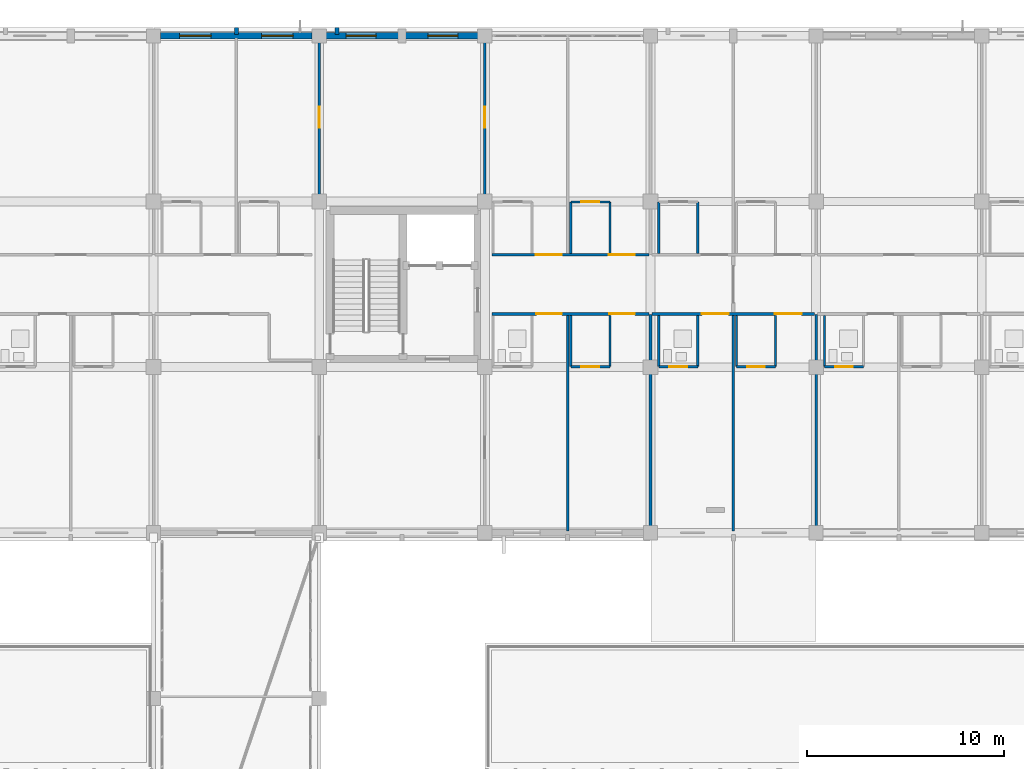
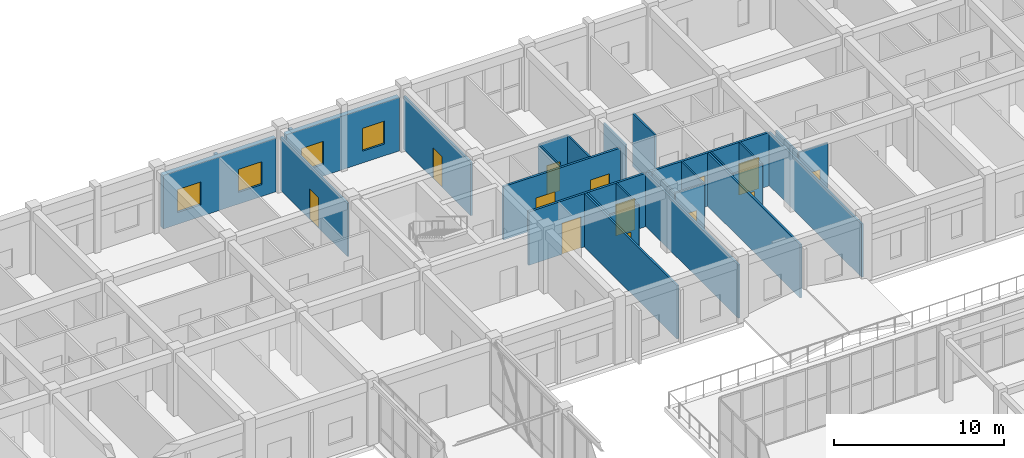
# One storey, part 132 of 158: 29 walls, 13 doors, 4 windows, 17 openings.
"""IFC4 building model written with IfcOpenShell, lengths in metres."""

from ifc_helpers import new_model, si_unit, direction, frame, frame_2d, origin, place, context, subcontext, project, spatial, rectangle, extrude, material, layer, layer_set, type_object, element, fill, save


model = new_model("IFC4")

# Units and contexts
model_context = context("Model", 3, precision=1e-05, world=origin(), true_north=direction((0.0, 1.0)))
body_context = subcontext(model_context, "Body", "Model", "MODEL_VIEW")
ifc_project = project(units=[si_unit("LENGTHUNIT", "METRE"), si_unit("AREAUNIT", "SQUARE_METRE"), si_unit("VOLUMEUNIT", "CUBIC_METRE"), si_unit("PLANEANGLEUNIT", "RADIAN"), si_unit("MASSUNIT", "GRAM", prefix="KILO")], contexts=[model_context])

# Site, building, storey
site_placement = place(None, origin())
site = spatial("IfcSite", under=ifc_project, at=site_placement, CompositionType="ELEMENT")
building_placement = place(site_placement, origin())
building = spatial("IfcBuilding", under=site, at=building_placement, Name="Trelvath General Hospital", CompositionType="ELEMENT")
storey_placement = place(building_placement, frame((0.0, 0.0, 8.10009765625)))
storey = spatial("IfcBuildingStorey", under=building, at=storey_placement, Name="L02", CompositionType="ELEMENT", Elevation=8.10009765625)

# Walls
ifc_material_1 = material(Name="Precast concrete C40/50", Category="concrete")
ifc_layer_1 = layer(ifc_material_1, 0.199951171875)
ifc_layer_set_1 = layer_set([ifc_layer_1], Name="Precast concrete C40/50")
wall_type_1 = type_object("IfcWallType", Name="BriseSoleilRib 200", PredefinedType="ELEMENTEDWALL", material=ifc_layer_set_1)
for number, where, z_axis, x_axis, name in (
    (1, (79.800048828125, 117.675048828125, 0.0), (0.0, 0.0, 1.0), (0.0, 1.0, 0.0), "Precast Concrete Brise-Soleil Rib Fin L02-200"),
    (2, (84.893310546875, 117.675048828125, 0.0), (0.0, 0.0, 1.0), (0.0, 1.0, 0.0), "Precast Concrete Brise-Soleil Rib Fin L02-204"),
):
    element("IfcWall", number, at=place(storey_placement, frame(where, z_axis=z_axis, x_axis=x_axis)), inside=storey, type_object=wall_type_1, Name=name, PredefinedType="ELEMENTEDWALL", context=body_context, shape_type="SweptSolid", body=[
        extrude(rectangle(XDim=0.33984375, YDim=0.199951171875, at=frame_2d((0.169921875, 0.0))), origin(), (0.0, 0.0, 1.0), 3.83984375),
    ])

# Wall, openings, doors
ifc_material_2 = material(Name="Gypsum acoustic steel-stud partition", Category="steel")
ifc_layer_2 = layer(ifc_material_2, 0.14990234375)
ifc_layer_set_2 = layer_set([ifc_layer_2], Name="Gypsum acoustic steel-stud partition")
wall_type_2 = type_object("IfcWallType", Name="ClinicalPartition 150", PredefinedType="PARTITIONING", material=ifc_layer_set_2)
wall_1_placement = place(storey_placement, frame((92.760009765625, 103.5, 0.0), z_axis=(0.0, 0.0, 1.0), x_axis=(1.0, 0.0, 0.0)))
wall_1 = element("IfcWall", 3, at=wall_1_placement, inside=storey, type_object=wall_type_2, Name="Corridor Partition L02-949", PredefinedType="PARTITIONING", context=body_context, shape_type="SweptSolid", body=[
    extrude(rectangle(XDim=7.9599609375, YDim=0.14990234375, at=frame_2d((3.97998046875, 0.0))), origin(), (0.0, 0.0, 1.0), 3.83984375),
])
opening_1_placement = place(wall_1_placement, frame((2.25, 0.0, 0.0)))
opening_1 = element("IfcOpeningElement", 4, at=opening_1_placement, cuts=wall_1, Name="Opening D-2-0761", PredefinedType="OPENING", context=body_context, shape_type="SweptSolid", body=[
    extrude(rectangle(XDim=1.300048828125, YDim=2.25, at=frame_2d((0.64990234375, 1.125))), frame((0.0, 0.0849609375, 0.0), z_axis=(0.0, -1.0, 0.0), x_axis=(1.0, 0.0, 0.0)), (0.0, 0.0, 1.0), 0.169921875),
])
opening_2_placement = place(wall_1_placement, frame((5.949951171875, 0.0, 0.0)))
opening_2 = element("IfcOpeningElement", 5, at=opening_2_placement, cuts=wall_1, Name="Opening D-2-0762", PredefinedType="OPENING", context=body_context, shape_type="SweptSolid", body=[
    extrude(rectangle(XDim=1.300048828125, YDim=2.25, at=frame_2d((0.64990234375, 1.125))), frame((0.0, 0.0849609375, 0.0), z_axis=(0.0, -1.0, 0.0), x_axis=(1.0, 0.0, 0.0)), (0.0, 0.0, 1.0), 0.169921875),
])
ifc_material_3 = material(Name="Hospital bed-leaf timber door", Category="wood")
door_type_1 = type_object("IfcDoorType", Name="Door PatientBed 1300x2250", OperationType="NOTDEFINED", PredefinedType="DOOR", material=ifc_material_3)
door_1_placement = place(opening_1_placement, origin())
door_1 = element("IfcDoor", 6, at=door_1_placement, inside=storey, type_object=door_type_1, Name="Patient Room Door L02-761", OperationType="SINGLE_SWING_RIGHT", OverallHeight=2.25, OverallWidth=1.300048828125, PredefinedType="DOOR", context=body_context, shape_type="SweptSolid", body=[
    extrude(rectangle(XDim=1.300048828125, YDim=2.25, at=frame_2d((0.64990234375, 1.125))), frame((0.0, 0.02490234375, 0.0), z_axis=(0.0, -1.0, 0.0), x_axis=(1.0, 0.0, 0.0)), (0.0, 0.0, 1.0), 0.050048828125),
])
fill(opening_1, door_1)
door_2_placement = place(opening_2_placement, origin())
door_2 = element("IfcDoor", 7, at=door_2_placement, inside=storey, type_object=door_type_1, Name="Patient Room Door L02-762", OperationType="SINGLE_SWING_LEFT", OverallHeight=2.25, OverallWidth=1.300048828125, PredefinedType="DOOR", context=body_context, shape_type="SweptSolid", body=[
    extrude(rectangle(XDim=1.300048828125, YDim=2.25, at=frame_2d((0.64990234375, 1.125))), frame((0.0, 0.02490234375, 0.0), z_axis=(0.0, -1.0, 0.0), x_axis=(1.0, 0.0, 0.0)), (0.0, 0.0, 1.0), 0.050048828125),
])
fill(opening_2, door_2)

wall_2_placement = place(storey_placement, frame((100.719970703125, 106.5, 0.0), z_axis=(0.0, 0.0, 1.0), x_axis=(-1.0, 0.0, 0.0)))
wall_2 = element("IfcWall", 8, at=wall_2_placement, inside=storey, type_object=wall_type_2, Name="Corridor Partition N L02-957", PredefinedType="PARTITIONING", context=body_context, shape_type="SweptSolid", body=[
    extrude(rectangle(XDim=7.9599609375, YDim=0.14990234375, at=frame_2d((3.97998046875, 0.0))), origin(), (0.0, 0.0, 1.0), 3.83984375),
])
opening_3_placement = place(wall_2_placement, frame((0.72998046875, 0.0, 0.0)))
opening_3 = element("IfcOpeningElement", 9, at=opening_3_placement, cuts=wall_2, Name="Opening D-2-0765", PredefinedType="OPENING", context=body_context, shape_type="SweptSolid", body=[
    extrude(rectangle(XDim=1.300048828125, YDim=2.25, at=frame_2d((0.64990234375, 1.125))), frame((0.0, 0.0849609375, 0.0), z_axis=(0.0, -1.0, 0.0), x_axis=(1.0, 0.0, 0.0)), (0.0, 0.0, 1.0), 0.169921875),
])
opening_4_placement = place(wall_2_placement, frame((4.429931640625, 0.0, 0.0)))
opening_4 = element("IfcOpeningElement", 10, at=opening_4_placement, cuts=wall_2, Name="Opening D-2-0766", PredefinedType="OPENING", context=body_context, shape_type="SweptSolid", body=[
    extrude(rectangle(XDim=1.300048828125, YDim=2.25, at=frame_2d((0.64990234375, 1.125))), frame((0.0, 0.0849609375, 0.0), z_axis=(0.0, -1.0, 0.0), x_axis=(1.0, 0.0, 0.0)), (0.0, 0.0, 1.0), 0.169921875),
])
door_3_placement = place(opening_3_placement, origin())
door_3 = element("IfcDoor", 11, at=door_3_placement, inside=storey, type_object=door_type_1, Name="Patient Room Door N L02-765", OperationType="SINGLE_SWING_RIGHT", OverallHeight=2.25, OverallWidth=1.300048828125, PredefinedType="DOOR", context=body_context, shape_type="SweptSolid", body=[
    extrude(rectangle(XDim=1.300048828125, YDim=2.25, at=frame_2d((0.64990234375, 1.125))), frame((0.0, 0.02490234375, 0.0), z_axis=(0.0, -1.0, 0.0), x_axis=(1.0, 0.0, 0.0)), (0.0, 0.0, 1.0), 0.050048828125),
])
fill(opening_3, door_3)
door_4_placement = place(opening_4_placement, origin())
door_4 = element("IfcDoor", 12, at=door_4_placement, inside=storey, type_object=door_type_1, Name="Patient Room Door N L02-766", OperationType="SINGLE_SWING_RIGHT", OverallHeight=2.25, OverallWidth=1.300048828125, PredefinedType="DOOR", context=body_context, shape_type="SweptSolid", body=[
    extrude(rectangle(XDim=1.300048828125, YDim=2.25, at=frame_2d((0.64990234375, 1.125))), frame((0.0, 0.02490234375, 0.0), z_axis=(0.0, -1.0, 0.0), x_axis=(1.0, 0.0, 0.0)), (0.0, 0.0, 1.0), 0.050048828125),
])
fill(opening_4, door_4)

wall_3_placement = place(storey_placement, frame((100.8798828125, 103.5, 0.0), z_axis=(0.0, 0.0, 1.0), x_axis=(1.0, 0.0, 0.0)))
wall_3 = element("IfcWall", 13, at=wall_3_placement, inside=storey, type_object=wall_type_2, Name="Corridor Partition L02-967", PredefinedType="PARTITIONING", context=body_context, shape_type="SweptSolid", body=[
    extrude(rectangle(XDim=8.240234375, YDim=0.14990234375, at=frame_2d((4.1201171875, 0.0))), origin(), (0.0, 0.0, 1.0), 3.83984375),
])
opening_5_placement = place(wall_3_placement, frame((2.530029296875, 0.0, 0.0)))
opening_5 = element("IfcOpeningElement", 14, at=opening_5_placement, cuts=wall_3, Name="Opening D-2-0769", PredefinedType="OPENING", context=body_context, shape_type="SweptSolid", body=[
    extrude(rectangle(XDim=1.35009765625, YDim=2.25, at=frame_2d((0.675048828125, 1.125))), frame((0.0, 0.0849609375, 0.0), z_axis=(0.0, -1.0, 0.0), x_axis=(1.0, 0.0, 0.0)), (0.0, 0.0, 1.0), 0.169921875),
])
opening_6_placement = place(wall_3_placement, frame((6.22998046875, 0.0, 0.0)))
opening_6 = element("IfcOpeningElement", 15, at=opening_6_placement, cuts=wall_3, Name="Opening D-2-0770", PredefinedType="OPENING", context=body_context, shape_type="SweptSolid", body=[
    extrude(rectangle(XDim=1.35009765625, YDim=2.25, at=frame_2d((0.675048828125, 1.125))), frame((0.0, 0.0849609375, 0.0), z_axis=(0.0, -1.0, 0.0), x_axis=(1.0, 0.0, 0.0)), (0.0, 0.0, 1.0), 0.169921875),
])
ifc_material_4 = material(Name="Airtight isolation bed door")
door_type_2 = type_object("IfcDoorType", Name="Door PatientIso 1350x2250", OperationType="NOTDEFINED", PredefinedType="DOOR", material=ifc_material_4)
door_5_placement = place(opening_5_placement, origin())
door_5 = element("IfcDoor", 16, at=door_5_placement, inside=storey, type_object=door_type_2, Name="Patient Room Door L02-769", OperationType="SINGLE_SWING_LEFT", OverallHeight=2.25, OverallWidth=1.35009765625, PredefinedType="DOOR", context=body_context, shape_type="SweptSolid", body=[
    extrude(rectangle(XDim=1.35009765625, YDim=2.25, at=frame_2d((0.675048828125, 1.125))), frame((0.0, 0.02490234375, 0.0), z_axis=(0.0, -1.0, 0.0), x_axis=(1.0, 0.0, 0.0)), (0.0, 0.0, 1.0), 0.050048828125),
])
fill(opening_5, door_5)
door_6_placement = place(opening_6_placement, origin())
door_6 = element("IfcDoor", 17, at=door_6_placement, inside=storey, type_object=door_type_2, Name="Patient Room Door L02-770", OperationType="SINGLE_SWING_RIGHT", OverallHeight=2.25, OverallWidth=1.35009765625, PredefinedType="DOOR", context=body_context, shape_type="SweptSolid", body=[
    extrude(rectangle(XDim=1.35009765625, YDim=2.25, at=frame_2d((0.675048828125, 1.125))), frame((0.0, 0.02490234375, 0.0), z_axis=(0.0, -1.0, 0.0), x_axis=(1.0, 0.0, 0.0)), (0.0, 0.0, 1.0), 0.050048828125),
])
fill(opening_6, door_6)

# Walls
ifc_material_5 = material(Name="Moisture-resistant tile partition")
ifc_layer_3 = layer(ifc_material_5, 0.110107421875)
ifc_layer_set_3 = layer_set([ifc_layer_3], Name="Moisture-resistant tile partition")
wall_type_3 = type_object("IfcWallType", Name="EnSuiteWetWall 110", PredefinedType="PARTITIONING", material=ifc_layer_set_3)
for number, where, z_axis, x_axis, name in (
    (18, (96.760009765625, 100.820068359375, 0.0), (0.0, 0.0, 1.0), (0.0, 1.0, 0.0), "En-Suite W Wall L02-954"),
    (19, (98.739990234375, 100.820068359375, 0.0), (0.0, 0.0, 1.0), (0.0, 1.0, 0.0), "En-Suite E Wall L02-955"),
):
    element("IfcWall", number, at=place(storey_placement, frame(where, z_axis=z_axis, x_axis=x_axis)), inside=storey, type_object=wall_type_3, Name=name, PredefinedType="PARTITIONING", context=body_context, shape_type="SweptSolid", body=[
        extrude(rectangle(XDim=2.60986328125, YDim=0.110107421875, at=frame_2d((1.304931640625, 0.0))), origin(), (0.0, 0.0, 1.0), 3.83984375),
    ])

# Wall, opening, door
wall_4_placement = place(storey_placement, frame((96.760009765625, 100.820068359375, 0.0), z_axis=(0.0, 0.0, 1.0), x_axis=(1.0, 0.0, 0.0)))
wall_4 = element("IfcWall", 20, at=wall_4_placement, inside=storey, type_object=wall_type_3, Name="En-Suite Bathroom Partition L02-956", PredefinedType="PARTITIONING", context=body_context, shape_type="SweptSolid", body=[
    extrude(rectangle(XDim=1.97998046875, YDim=0.110107421875, at=frame_2d((0.989990234375, 0.0))), origin(), (0.0, 0.0, 1.0), 3.83984375),
])
opening_7_placement = place(wall_4_placement, frame((0.5400390625, 0.0, 0.0)))
opening_7 = element("IfcOpeningElement", 21, at=opening_7_placement, cuts=wall_4, Name="Opening D-2-0764", PredefinedType="OPENING", context=body_context, shape_type="SweptSolid", body=[
    extrude(rectangle(XDim=0.89990234375, YDim=2.10009765625, at=frame_2d((0.449951171875, 1.050048828125))), frame((0.0, 0.06494140625, 0.0), z_axis=(0.0, -1.0, 0.0), x_axis=(1.0, 0.0, 0.0)), (0.0, 0.0, 1.0), 0.130126953125),
])
ifc_material_6 = material(Name="Moisture-sealed timber leaf", Category="wood")
door_type_3 = type_object("IfcDoorType", Name="Door EnSuite 900x2100", OperationType="NOTDEFINED", PredefinedType="DOOR", material=ifc_material_6)
door_7_placement = place(opening_7_placement, origin())
door_7 = element("IfcDoor", 22, at=door_7_placement, inside=storey, type_object=door_type_3, Name="En-Suite Bathroom Door L02-764", OperationType="SINGLE_SWING_LEFT", OverallHeight=2.10009765625, OverallWidth=0.89990234375, PredefinedType="DOOR", context=body_context, shape_type="SweptSolid", body=[
    extrude(rectangle(XDim=0.89990234375, YDim=2.10009765625, at=frame_2d((0.449951171875, 1.050048828125))), frame((0.0, 0.02490234375, 0.0), z_axis=(0.0, -1.0, 0.0), x_axis=(1.0, 0.0, 0.0)), (0.0, 0.0, 1.0), 0.050048828125),
])
fill(opening_7, door_7)

# Walls
for number, where, z_axis, x_axis, name in (
    (23, (96.760009765625, 106.570068359375, 0.0), (0.0, 0.0, 1.0), (0.0, 1.0, 0.0), "En-Suite W Wall N L02-962"),
    (24, (98.739990234375, 106.570068359375, 0.0), (0.0, 0.0, 1.0), (0.0, 1.0, 0.0), "En-Suite E Wall N L02-963"),
):
    element("IfcWall", number, at=place(storey_placement, frame(where, z_axis=z_axis, x_axis=x_axis)), inside=storey, type_object=wall_type_3, Name=name, PredefinedType="PARTITIONING", context=body_context, shape_type="SweptSolid", body=[
        extrude(rectangle(XDim=2.60986328125, YDim=0.110107421875, at=frame_2d((1.304931640625, 0.0))), origin(), (0.0, 0.0, 1.0), 3.83984375),
    ])

# Wall, opening, door
wall_5_placement = place(storey_placement, frame((96.760009765625, 109.179931640625, 0.0), z_axis=(0.0, 0.0, 1.0), x_axis=(1.0, 0.0, 0.0)))
wall_5 = element("IfcWall", 25, at=wall_5_placement, inside=storey, type_object=wall_type_3, Name="En-Suite Bathroom N Partition L02-964", PredefinedType="PARTITIONING", context=body_context, shape_type="SweptSolid", body=[
    extrude(rectangle(XDim=1.97998046875, YDim=0.110107421875, at=frame_2d((0.989990234375, 0.0))), origin(), (0.0, 0.0, 1.0), 3.83984375),
])
opening_8_placement = place(wall_5_placement, frame((0.5400390625, 0.0, 0.0)))
opening_8 = element("IfcOpeningElement", 26, at=opening_8_placement, cuts=wall_5, Name="Opening D-2-0768", PredefinedType="OPENING", context=body_context, shape_type="SweptSolid", body=[
    extrude(rectangle(XDim=0.89990234375, YDim=2.10009765625, at=frame_2d((0.449951171875, 1.050048828125))), frame((0.0, 0.06494140625, 0.0), z_axis=(0.0, -1.0, 0.0), x_axis=(1.0, 0.0, 0.0)), (0.0, 0.0, 1.0), 0.130126953125),
])
door_8_placement = place(opening_8_placement, origin())
door_8 = element("IfcDoor", 27, at=door_8_placement, inside=storey, type_object=door_type_3, Name="En-Suite Bathroom N Door L02-768", OperationType="SINGLE_SWING_RIGHT", OverallHeight=2.10009765625, OverallWidth=0.89990234375, PredefinedType="DOOR", context=body_context, shape_type="SweptSolid", body=[
    extrude(rectangle(XDim=0.89990234375, YDim=2.10009765625, at=frame_2d((0.449951171875, 1.050048828125))), frame((0.0, 0.02490234375, 0.0), z_axis=(0.0, -1.0, 0.0), x_axis=(1.0, 0.0, 0.0)), (0.0, 0.0, 1.0), 0.050048828125),
])
fill(opening_8, door_8)

# Walls
for number, where, z_axis, x_axis, name in (
    (28, (101.219970703125, 100.820068359375, 0.0), (0.0, 0.0, 1.0), (0.0, 1.0, 0.0), "En-Suite W Wall L02-969"),
    (29, (103.199951171875, 100.820068359375, 0.0), (0.0, 0.0, 1.0), (0.0, 1.0, 0.0), "En-Suite E Wall L02-970"),
):
    element("IfcWall", number, at=place(storey_placement, frame(where, z_axis=z_axis, x_axis=x_axis)), inside=storey, type_object=wall_type_3, Name=name, PredefinedType="PARTITIONING", context=body_context, shape_type="SweptSolid", body=[
        extrude(rectangle(XDim=2.60986328125, YDim=0.110107421875, at=frame_2d((1.304931640625, 0.0))), origin(), (0.0, 0.0, 1.0), 3.83984375),
    ])

# Wall, opening, door
wall_6_placement = place(storey_placement, frame((101.219970703125, 100.820068359375, 0.0), z_axis=(0.0, 0.0, 1.0), x_axis=(1.0, 0.0, 0.0)))
wall_6 = element("IfcWall", 30, at=wall_6_placement, inside=storey, type_object=wall_type_3, Name="En-Suite Bathroom Partition L02-971", PredefinedType="PARTITIONING", context=body_context, shape_type="SweptSolid", body=[
    extrude(rectangle(XDim=1.97998046875, YDim=0.110107421875, at=frame_2d((0.989990234375, 0.0))), origin(), (0.0, 0.0, 1.0), 3.83984375),
])
opening_9_placement = place(wall_6_placement, frame((0.5400390625, 0.0, 0.0)))
opening_9 = element("IfcOpeningElement", 31, at=opening_9_placement, cuts=wall_6, Name="Opening D-2-0771", PredefinedType="OPENING", context=body_context, shape_type="SweptSolid", body=[
    extrude(rectangle(XDim=0.89990234375, YDim=2.10009765625, at=frame_2d((0.449951171875, 1.050048828125))), frame((0.0, 0.06494140625, 0.0), z_axis=(0.0, -1.0, 0.0), x_axis=(1.0, 0.0, 0.0)), (0.0, 0.0, 1.0), 0.130126953125),
])
door_9_placement = place(opening_9_placement, origin())
door_9 = element("IfcDoor", 32, at=door_9_placement, inside=storey, type_object=door_type_3, Name="En-Suite Bathroom Door L02-771", OperationType="SINGLE_SWING_LEFT", OverallHeight=2.10009765625, OverallWidth=0.89990234375, PredefinedType="DOOR", context=body_context, shape_type="SweptSolid", body=[
    extrude(rectangle(XDim=0.89990234375, YDim=2.10009765625, at=frame_2d((0.449951171875, 1.050048828125))), frame((0.0, 0.02490234375, 0.0), z_axis=(0.0, -1.0, 0.0), x_axis=(1.0, 0.0, 0.0)), (0.0, 0.0, 1.0), 0.050048828125),
])
fill(opening_9, door_9)

# Walls
for number, where, z_axis, x_axis, name in (
    (33, (105.159912109375, 100.820068359375, 0.0), (0.0, 0.0, 1.0), (0.0, 1.0, 0.0), "En-Suite W Wall L02-972"),
    (34, (107.139892578125, 100.820068359375, 0.0), (0.0, 0.0, 1.0), (0.0, 1.0, 0.0), "En-Suite E Wall L02-973"),
):
    element("IfcWall", number, at=place(storey_placement, frame(where, z_axis=z_axis, x_axis=x_axis)), inside=storey, type_object=wall_type_3, Name=name, PredefinedType="PARTITIONING", context=body_context, shape_type="SweptSolid", body=[
        extrude(rectangle(XDim=2.60986328125, YDim=0.110107421875, at=frame_2d((1.304931640625, 0.0))), origin(), (0.0, 0.0, 1.0), 3.83984375),
    ])

# Wall, opening, door
wall_7_placement = place(storey_placement, frame((105.159912109375, 100.820068359375, 0.0), z_axis=(0.0, 0.0, 1.0), x_axis=(1.0, 0.0, 0.0)))
wall_7 = element("IfcWall", 35, at=wall_7_placement, inside=storey, type_object=wall_type_3, Name="En-Suite Bathroom Partition L02-974", PredefinedType="PARTITIONING", context=body_context, shape_type="SweptSolid", body=[
    extrude(rectangle(XDim=1.97998046875, YDim=0.110107421875, at=frame_2d((0.989990234375, 0.0))), origin(), (0.0, 0.0, 1.0), 3.83984375),
])
opening_10_placement = place(wall_7_placement, frame((0.5400390625, 0.0, 0.0)))
opening_10 = element("IfcOpeningElement", 36, at=opening_10_placement, cuts=wall_7, Name="Opening D-2-0772", PredefinedType="OPENING", context=body_context, shape_type="SweptSolid", body=[
    extrude(rectangle(XDim=0.89990234375, YDim=2.10009765625, at=frame_2d((0.449951171875, 1.050048828125))), frame((0.0, 0.06494140625, 0.0), z_axis=(0.0, -1.0, 0.0), x_axis=(1.0, 0.0, 0.0)), (0.0, 0.0, 1.0), 0.130126953125),
])
door_10_placement = place(opening_10_placement, origin())
door_10 = element("IfcDoor", 37, at=door_10_placement, inside=storey, type_object=door_type_3, Name="En-Suite Bathroom Door L02-772", OperationType="SINGLE_SWING_RIGHT", OverallHeight=2.10009765625, OverallWidth=0.89990234375, PredefinedType="DOOR", context=body_context, shape_type="SweptSolid", body=[
    extrude(rectangle(XDim=0.89990234375, YDim=2.10009765625, at=frame_2d((0.449951171875, 1.050048828125))), frame((0.0, 0.02490234375, 0.0), z_axis=(0.0, -1.0, 0.0), x_axis=(1.0, 0.0, 0.0)), (0.0, 0.0, 1.0), 0.050048828125),
])
fill(opening_10, door_10)

# Walls
for number, where, z_axis, x_axis, name in (
    (38, (101.219970703125, 106.570068359375, 0.0), (0.0, 0.0, 1.0), (0.0, 1.0, 0.0), "En-Suite W Wall N L02-978"),
    (39, (103.199951171875, 106.570068359375, 0.0), (0.0, 0.0, 1.0), (0.0, 1.0, 0.0), "En-Suite E Wall N L02-979"),
    (40, (109.6201171875, 100.820068359375, 0.0), (0.0, 0.0, 1.0), (0.0, 1.0, 0.0), "En-Suite W Wall L02-989"),
):
    element("IfcWall", number, at=place(storey_placement, frame(where, z_axis=z_axis, x_axis=x_axis)), inside=storey, type_object=wall_type_3, Name=name, PredefinedType="PARTITIONING", context=body_context, shape_type="SweptSolid", body=[
        extrude(rectangle(XDim=2.60986328125, YDim=0.110107421875, at=frame_2d((1.304931640625, 0.0))), origin(), (0.0, 0.0, 1.0), 3.83984375),
    ])

# Wall, opening, door
wall_8_placement = place(storey_placement, frame((109.6201171875, 100.820068359375, 0.0), z_axis=(0.0, 0.0, 1.0), x_axis=(1.0, 0.0, 0.0)))
wall_8 = element("IfcWall", 41, at=wall_8_placement, inside=storey, type_object=wall_type_3, Name="En-Suite Bathroom Partition L02-991", PredefinedType="PARTITIONING", context=body_context, shape_type="SweptSolid", body=[
    extrude(rectangle(XDim=1.97998046875, YDim=0.110107421875, at=frame_2d((0.989990234375, 0.0))), origin(), (0.0, 0.0, 1.0), 3.83984375),
])
opening_11_placement = place(wall_8_placement, frame((0.5400390625, 0.0, 0.0)))
opening_11 = element("IfcOpeningElement", 42, at=opening_11_placement, cuts=wall_8, Name="Opening D-2-0780", PredefinedType="OPENING", context=body_context, shape_type="SweptSolid", body=[
    extrude(rectangle(XDim=0.89990234375, YDim=2.10009765625, at=frame_2d((0.449951171875, 1.050048828125))), frame((0.0, 0.06494140625, 0.0), z_axis=(0.0, -1.0, 0.0), x_axis=(1.0, 0.0, 0.0)), (0.0, 0.0, 1.0), 0.130126953125),
])
door_11_placement = place(opening_11_placement, origin())
door_11 = element("IfcDoor", 43, at=door_11_placement, inside=storey, type_object=door_type_3, Name="En-Suite Bathroom Door L02-780", OperationType="SINGLE_SWING_RIGHT", OverallHeight=2.10009765625, OverallWidth=0.89990234375, PredefinedType="DOOR", context=body_context, shape_type="SweptSolid", body=[
    extrude(rectangle(XDim=0.89990234375, YDim=2.10009765625, at=frame_2d((0.449951171875, 1.050048828125))), frame((0.0, 0.02490234375, 0.0), z_axis=(0.0, -1.0, 0.0), x_axis=(1.0, 0.0, 0.0)), (0.0, 0.0, 1.0), 0.050048828125),
])
fill(opening_11, door_11)

# Wall, openings, windows
ifc_material_7 = material(Name="Concrete C35/45", Category="concrete")
ifc_layer_4 = layer(ifc_material_7, 0.320068359375)
ifc_layer_set_4 = layer_set([ifc_layer_4], Name="Concrete C35/45")
wall_type_4 = type_object("IfcWallType", Name="ExtThermalWall 320", PredefinedType="SOLIDWALL", material=ifc_layer_set_4)
wall_9_placement = place(storey_placement, frame((75.955078125, 117.60009765625, 0.0), z_axis=(0.0, 0.0, 1.0), x_axis=(1.0, 0.0, 0.0)))
wall_9 = element("IfcWall", 44, at=wall_9_placement, inside=storey, type_object=wall_type_4, Name="Exterior Concrete Wall L02-274", PredefinedType="SOLIDWALL", context=body_context, shape_type="SweptSolid", body=[
    extrude(rectangle(XDim=7.68994140625, YDim=0.320068359375, at=frame_2d((3.844970703125, 0.0))), origin(), (0.0, 0.0, 1.0), 3.85986328125),
])
opening_12_placement = place(wall_9_placement, frame((0.96875, 0.0, 0.85009765625)))
opening_12 = element("IfcOpeningElement", 45, at=opening_12_placement, cuts=wall_9, Name="Opening WN-2-431", PredefinedType="OPENING", context=body_context, shape_type="SweptSolid", body=[
    extrude(rectangle(XDim=1.60009765625, YDim=1.64990234375, at=frame_2d((0.800048828125, 0.824951171875))), frame((0.0, 0.169921875, 0.0), z_axis=(0.0, -1.0, 0.0), x_axis=(1.0, 0.0, 0.0)), (0.0, 0.0, 1.0), 0.340087890625),
])
opening_13_placement = place(wall_9_placement, frame((5.121337890625, 0.0, 0.85009765625)))
opening_13 = element("IfcOpeningElement", 46, at=opening_13_placement, cuts=wall_9, Name="Opening WN-2-432", PredefinedType="OPENING", context=body_context, shape_type="SweptSolid", body=[
    extrude(rectangle(XDim=1.60009765625, YDim=1.64990234375, at=frame_2d((0.800048828125, 0.824951171875))), frame((0.0, 0.169921875, 0.0), z_axis=(0.0, -1.0, 0.0), x_axis=(1.0, 0.0, 0.0)), (0.0, 0.0, 1.0), 0.340087890625),
])
ifc_material_8 = material(Name="Low-E laminated glass", Category="glass")
window_type_1 = type_object("IfcWindowType", Name="Window WardNorth 1600x1650", PartitioningType="DOUBLE_PANEL_VERTICAL", PredefinedType="WINDOW", material=ifc_material_8)
window_1_placement = place(opening_12_placement, origin())
window_1 = element("IfcWindow", 47, at=window_1_placement, inside=storey, type_object=window_type_1, Name="Solar Reveal Window L02-431", OverallHeight=1.64990234375, OverallWidth=1.60009765625, PartitioningType="SINGLE_PANEL", PredefinedType="WINDOW", context=body_context, shape_type="SweptSolid", body=[
    extrude(rectangle(XDim=1.60009765625, YDim=1.64990234375, at=frame_2d((0.800048828125, 0.824951171875))), frame((0.0, 0.030029296875, 0.0), z_axis=(0.0, -1.0, 0.0), x_axis=(1.0, 0.0, 0.0)), (0.0, 0.0, 1.0), 0.06005859375),
])
fill(opening_12, window_1)
window_2_placement = place(opening_13_placement, origin())
window_2 = element("IfcWindow", 48, at=window_2_placement, inside=storey, type_object=window_type_1, Name="Solar Reveal Window L02-432", OverallHeight=1.64990234375, OverallWidth=1.60009765625, PartitioningType="SINGLE_PANEL", PredefinedType="WINDOW", context=body_context, shape_type="SweptSolid", body=[
    extrude(rectangle(XDim=1.60009765625, YDim=1.64990234375, at=frame_2d((0.800048828125, 0.824951171875))), frame((0.0, 0.030029296875, 0.0), z_axis=(0.0, -1.0, 0.0), x_axis=(1.0, 0.0, 0.0)), (0.0, 0.0, 1.0), 0.06005859375),
])
fill(opening_13, window_2)

wall_10_placement = place(storey_placement, frame((84.35498046875, 117.60009765625, 0.0), z_axis=(0.0, 0.0, 1.0), x_axis=(1.0, 0.0, 0.0)))
wall_10 = element("IfcWall", 49, at=wall_10_placement, inside=storey, type_object=wall_type_4, Name="Exterior Concrete Wall L02-281", PredefinedType="SOLIDWALL", context=body_context, shape_type="SweptSolid", body=[
    extrude(rectangle(XDim=7.68994140625, YDim=0.320068359375, at=frame_2d((3.844970703125, 0.0))), origin(), (0.0, 0.0, 1.0), 3.85986328125),
])
opening_14_placement = place(wall_10_placement, frame((1.0087890625, 0.0, 0.85009765625)))
opening_14 = element("IfcOpeningElement", 50, at=opening_14_placement, cuts=wall_10, Name="Opening WN-2-439", PredefinedType="OPENING", context=body_context, shape_type="SweptSolid", body=[
    extrude(rectangle(XDim=1.52001953125, YDim=1.64990234375, at=frame_2d((0.760009765625, 0.824951171875))), frame((0.0, 0.169921875, 0.0), z_axis=(0.0, -1.0, 0.0), x_axis=(1.0, 0.0, 0.0)), (0.0, 0.0, 1.0), 0.340087890625),
])
opening_15_placement = place(wall_10_placement, frame((5.161376953125, 0.0, 0.85009765625)))
opening_15 = element("IfcOpeningElement", 51, at=opening_15_placement, cuts=wall_10, Name="Opening WN-2-440", PredefinedType="OPENING", context=body_context, shape_type="SweptSolid", body=[
    extrude(rectangle(XDim=1.52001953125, YDim=1.64990234375, at=frame_2d((0.760009765625, 0.824951171875))), frame((0.0, 0.169921875, 0.0), z_axis=(0.0, -1.0, 0.0), x_axis=(1.0, 0.0, 0.0)), (0.0, 0.0, 1.0), 0.340087890625),
])
ifc_material_9 = material(Name="Low-E laminated glass", Category="glass")
window_type_2 = type_object("IfcWindowType", Name="Window WardNorth 1520x1650", PartitioningType="DOUBLE_PANEL_VERTICAL", PredefinedType="WINDOW", material=ifc_material_9)
window_3_placement = place(opening_14_placement, origin())
window_3 = element("IfcWindow", 52, at=window_3_placement, inside=storey, type_object=window_type_2, Name="Solar Reveal Window L02-439", OverallHeight=1.64990234375, OverallWidth=1.52001953125, PartitioningType="SINGLE_PANEL", PredefinedType="WINDOW", context=body_context, shape_type="SweptSolid", body=[
    extrude(rectangle(XDim=1.52001953125, YDim=1.64990234375, at=frame_2d((0.760009765625, 0.824951171875))), frame((0.0, 0.030029296875, 0.0), z_axis=(0.0, -1.0, 0.0), x_axis=(1.0, 0.0, 0.0)), (0.0, 0.0, 1.0), 0.06005859375),
])
fill(opening_14, window_3)
window_4_placement = place(opening_15_placement, origin())
window_4 = element("IfcWindow", 53, at=window_4_placement, inside=storey, type_object=window_type_2, Name="Solar Reveal Window L02-440", OverallHeight=1.64990234375, OverallWidth=1.52001953125, PartitioningType="SINGLE_PANEL", PredefinedType="WINDOW", context=body_context, shape_type="SweptSolid", body=[
    extrude(rectangle(XDim=1.52001953125, YDim=1.64990234375, at=frame_2d((0.760009765625, 0.824951171875))), frame((0.0, 0.030029296875, 0.0), z_axis=(0.0, -1.0, 0.0), x_axis=(1.0, 0.0, 0.0)), (0.0, 0.0, 1.0), 0.06005859375),
])
fill(opening_15, window_4)

# Wall, opening, door
ifc_material_10 = material(Name="Gypsum acoustic steel-stud partition", Category="steel")
ifc_layer_5 = layer(ifc_material_10, 0.1298828125)
ifc_layer_set_5 = layer_set([ifc_layer_5], Name="Gypsum acoustic steel-stud partition")
wall_type_5 = type_object("IfcWallType", Name="WardPartition 130", PredefinedType="PARTITIONING", material=ifc_layer_set_5)
wall_11_placement = place(storey_placement, frame((84.0, 109.550048828125, 0.0), z_axis=(0.0, 0.0, 1.0), x_axis=(0.0, 1.0, 0.0)))
wall_11 = element("IfcWall", 54, at=wall_11_placement, inside=storey, type_object=wall_type_5, Name="Inter-Bay Ward Partition N L02-946", PredefinedType="PARTITIONING", context=body_context, shape_type="SweptSolid", body=[
    extrude(rectangle(XDim=7.909912109375, YDim=0.1298828125, at=frame_2d((3.955078125, 0.0))), origin(), (0.0, 0.0, 1.0), 3.83984375),
])
opening_16_placement = place(wall_11_placement, frame((3.39990234375, 0.0, 0.0)))
opening_16 = element("IfcOpeningElement", 55, at=opening_16_placement, cuts=wall_11, Name="Opening D-2-0758", PredefinedType="OPENING", context=body_context, shape_type="SweptSolid", body=[
    extrude(rectangle(XDim=1.050048828125, YDim=2.199951171875, at=frame_2d((0.52490234375, 1.10009765625))), frame((0.0, 0.074951171875, 0.0), z_axis=(0.0, -1.0, 0.0), x_axis=(1.0, 0.0, 0.0)), (0.0, 0.0, 1.0), 0.14990234375),
])
ifc_material_11 = material(Name="Acoustic hospital timber leaf", Category="wood")
door_type_4 = type_object("IfcDoorType", Name="Door Consult 1050x2200", OperationType="NOTDEFINED", PredefinedType="DOOR", material=ifc_material_11)
door_12_placement = place(opening_16_placement, origin())
door_12 = element("IfcDoor", 56, at=door_12_placement, inside=storey, type_object=door_type_4, Name="Consultation Connecting Door L02-758", OperationType="SINGLE_SWING_LEFT", OverallHeight=2.199951171875, OverallWidth=1.050048828125, PredefinedType="DOOR", context=body_context, shape_type="SweptSolid", body=[
    extrude(rectangle(XDim=1.050048828125, YDim=2.199951171875, at=frame_2d((0.52490234375, 1.10009765625))), frame((0.0, 0.02490234375, 0.0), z_axis=(0.0, -1.0, 0.0), x_axis=(1.0, 0.0, 0.0)), (0.0, 0.0, 1.0), 0.050048828125),
])
fill(opening_16, door_12)

wall_12_placement = place(storey_placement, frame((92.39990234375, 109.550048828125, 0.0), z_axis=(0.0, 0.0, 1.0), x_axis=(0.0, 1.0, 0.0)))
wall_12 = element("IfcWall", 57, at=wall_12_placement, inside=storey, type_object=wall_type_5, Name="Inter-Bay Ward Partition N L02-948", PredefinedType="PARTITIONING", context=body_context, shape_type="SweptSolid", body=[
    extrude(rectangle(XDim=7.909912109375, YDim=0.1298828125, at=frame_2d((3.955078125, 0.0))), origin(), (0.0, 0.0, 1.0), 3.83984375),
])
opening_17_placement = place(wall_12_placement, frame((3.39990234375, 0.0, 0.0)))
opening_17 = element("IfcOpeningElement", 58, at=opening_17_placement, cuts=wall_12, Name="Opening D-2-0760", PredefinedType="OPENING", context=body_context, shape_type="SweptSolid", body=[
    extrude(rectangle(XDim=1.050048828125, YDim=2.199951171875, at=frame_2d((0.52490234375, 1.10009765625))), frame((0.0, 0.074951171875, 0.0), z_axis=(0.0, -1.0, 0.0), x_axis=(1.0, 0.0, 0.0)), (0.0, 0.0, 1.0), 0.14990234375),
])
door_13_placement = place(opening_17_placement, origin())
door_13 = element("IfcDoor", 59, at=door_13_placement, inside=storey, type_object=door_type_4, Name="Consultation Connecting Door L02-760", OperationType="SINGLE_SWING_LEFT", OverallHeight=2.199951171875, OverallWidth=1.050048828125, PredefinedType="DOOR", context=body_context, shape_type="SweptSolid", body=[
    extrude(rectangle(XDim=1.050048828125, YDim=2.199951171875, at=frame_2d((0.52490234375, 1.10009765625))), frame((0.0, 0.02490234375, 0.0), z_axis=(0.0, -1.0, 0.0), x_axis=(1.0, 0.0, 0.0)), (0.0, 0.0, 1.0), 0.050048828125),
])
fill(opening_17, door_13)

# Walls
wall_13_placement = place(storey_placement, frame((96.60009765625, 92.5, 0.0), z_axis=(0.0, 0.0, 1.0), x_axis=(0.0, 1.0, 0.0)))
element("IfcWall", 60, at=wall_13_placement, inside=storey, type_object=wall_type_5, Name="Room Dividing Partition S L02-950", PredefinedType="PARTITIONING", context=body_context, shape_type="SweptSolid", body=[
    extrude(rectangle(XDim=10.929931640625, YDim=0.1298828125, at=frame_2d((5.46484375, 0.0))), origin(), (0.0, 0.0, 1.0), 3.83984375),
])
wall_14_placement = place(storey_placement, frame((100.800048828125, 92.5400390625, 0.0), z_axis=(0.0, 0.0, 1.0), x_axis=(0.0, 1.0, 0.0)))
element("IfcWall", 61, at=wall_14_placement, inside=storey, type_object=wall_type_5, Name="Inter-Bay Ward Partition S L02-965", PredefinedType="PARTITIONING", context=body_context, shape_type="SweptSolid", body=[
    extrude(rectangle(XDim=10.93994140625, YDim=0.1298828125, at=frame_2d((5.469970703125, 0.0))), origin(), (0.0, 0.0, 1.0), 3.83984375),
])
wall_15_placement = place(storey_placement, frame((105.0, 92.5, 0.0), z_axis=(0.0, 0.0, 1.0), x_axis=(0.0, 1.0, 0.0)))
element("IfcWall", 62, at=wall_15_placement, inside=storey, type_object=wall_type_5, Name="Room Dividing Partition S L02-968", PredefinedType="PARTITIONING", context=body_context, shape_type="SweptSolid", body=[
    extrude(rectangle(XDim=10.929931640625, YDim=0.1298828125, at=frame_2d((5.46484375, 0.0))), origin(), (0.0, 0.0, 1.0), 3.83984375),
])
wall_16_placement = place(storey_placement, frame((109.199951171875, 92.5400390625, 0.0), z_axis=(0.0, 0.0, 1.0), x_axis=(0.0, 1.0, 0.0)))
element("IfcWall", 63, at=wall_16_placement, inside=storey, type_object=wall_type_5, Name="Inter-Bay Ward Partition S L02-985", PredefinedType="PARTITIONING", context=body_context, shape_type="SweptSolid", body=[
    extrude(rectangle(XDim=10.93994140625, YDim=0.1298828125, at=frame_2d((5.469970703125, 0.0))), origin(), (0.0, 0.0, 1.0), 3.83984375),
])

save(model, "model.ifc")
